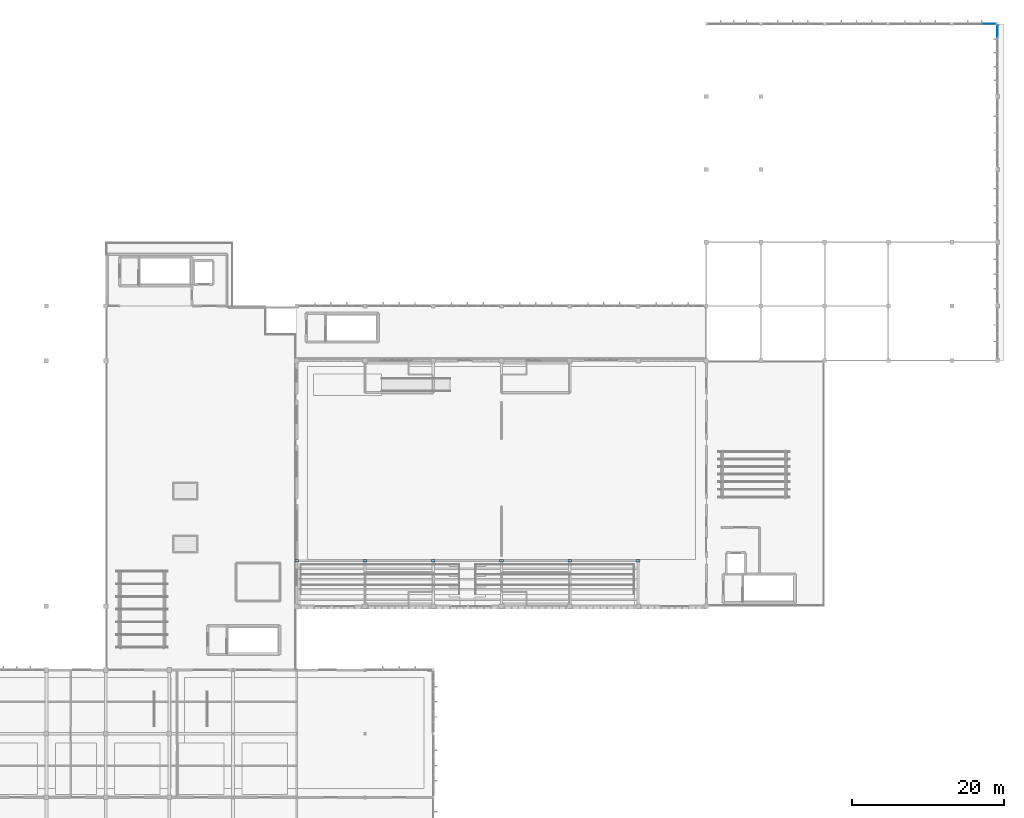
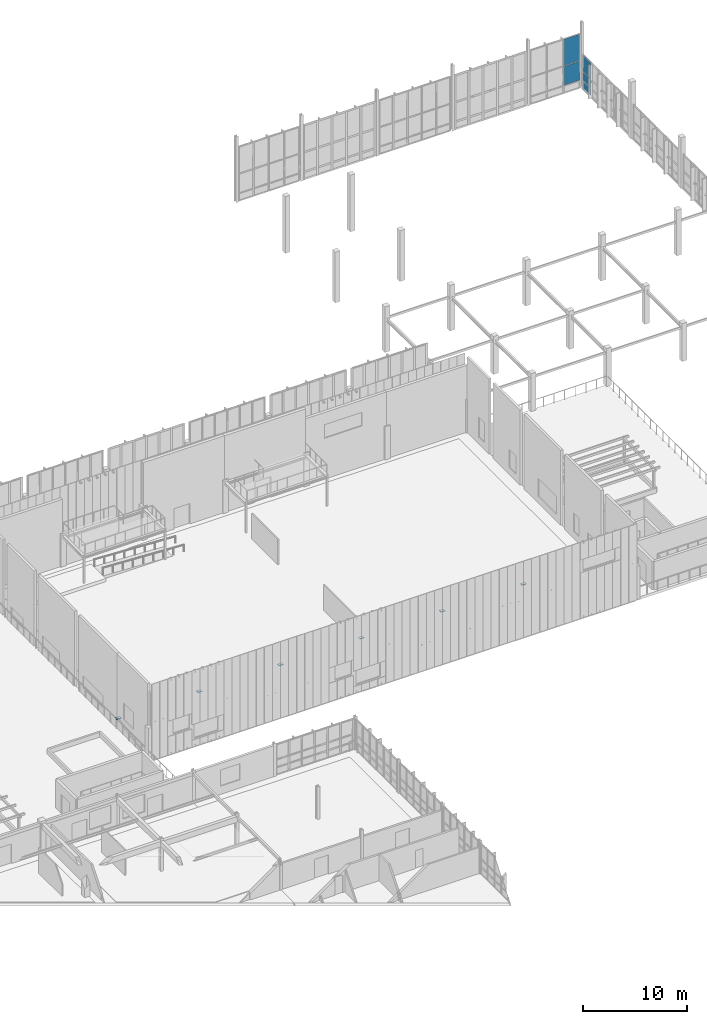
# One storey, part 41 of 67: 11 plates, 2 elements without a shape of their own.
"""IFC4 building model written with IfcOpenShell, lengths in metres."""

from ifc_helpers import new_model, si_unit, direction, frame, origin, origin_2d, place, context, subcontext, project, spatial, rectangle, extrude, material, layer, layer_set, type_object, element, aggregate, save


model = new_model("IFC4")

# Units and contexts
model_context = context("Model", 3, precision=1e-05, world=origin(), true_north=direction((0.0, 1.0)))
body_context = subcontext(model_context, "Body", "Model", "MODEL_VIEW")
ifc_project = project(units=[si_unit("LENGTHUNIT", "METRE"), si_unit("AREAUNIT", "SQUARE_METRE"), si_unit("VOLUMEUNIT", "CUBIC_METRE"), si_unit("PLANEANGLEUNIT", "RADIAN"), si_unit("MASSUNIT", "GRAM", prefix="KILO")], contexts=[model_context])

# Site, building, storey
site_placement = place(None, origin())
site = spatial("IfcSite", under=ifc_project, at=site_placement, CompositionType="ELEMENT")
building_placement = place(site_placement, origin())
building = spatial("IfcBuilding", under=site, at=building_placement, Name="Tizgana Railside Sports Hall", CompositionType="ELEMENT")
storey_placement = place(building_placement, frame((0.0, 0.0, 12.0)))
storey = spatial("IfcBuildingStorey", under=building, at=storey_placement, Name="L02", CompositionType="ELEMENT", Elevation=12.0)

# Curtain wall, plates
ifc_material_1 = material(Name="Anodised aluminium and glass", Category="aluminium")
curtain_wall_type_1 = type_object("IfcCurtainWallType", Name="Unitised Curtain Wall WestHall 1560", PredefinedType="NOTDEFINED", material=ifc_material_1)
curtain_wall_1_placement = place(storey_placement, origin())
curtain_wall_1 = element("IfcCurtainWall", 1, at=curtain_wall_1_placement, inside=storey, type_object=curtain_wall_type_1, Name="L02 Curtain Wall CW-0070", PredefinedType="NOTDEFINED")
ifc_material_2 = material(Name="Double low-E laminated glass", Category="glass")
ifc_layer_1 = layer(ifc_material_2, 0.0400390625, Name="Double low-E laminated glass")
ifc_layer_set_1 = layer_set([ifc_layer_1], Name="Double low-E laminated glass")
plate_type_1 = type_object("IfcPlateType", Name="High-Span Tempered Glazing Panel 40", PredefinedType="CURTAIN_PANEL", material=ifc_layer_set_1)
plate_1_placement = place(storey_placement, frame((172.199951171875, 116.613037109375, 0.070068359375), z_axis=(0.0, 0.0, 1.0), x_axis=(0.0, 1.0, 0.0)))
plate_1 = element("IfcPlate", 2, at=plate_1_placement, type_object=plate_type_1, Name="CW-07 panel 6.1", PredefinedType="CURTAIN_PANEL", context=body_context, shape_type="SweptSolid", body=[
    extrude(rectangle(XDim=1.404052734375, YDim=0.0400390625, at=origin_2d()), origin(), (0.0, 0.0, 1.0), 0.794921875),
])
plate_2_placement = place(storey_placement, frame((172.199951171875, 116.613037109375, 0.93505859375), z_axis=(0.0, 0.0, 1.0), x_axis=(0.0, 1.0, 0.0)))
plate_2 = element("IfcPlate", 3, at=plate_2_placement, type_object=plate_type_1, Name="CW-07 panel 6.2", PredefinedType="CURTAIN_PANEL", context=body_context, shape_type="SweptSolid", body=[
    extrude(rectangle(XDim=1.404052734375, YDim=0.0400390625, at=origin_2d()), origin(), (0.0, 0.0, 1.0), 1.030029296875),
])
plate_3_placement = place(storey_placement, frame((172.199951171875, 116.613037109375, 2.034912109375), z_axis=(0.0, 0.0, 1.0), x_axis=(0.0, 1.0, 0.0)))
plate_3 = element("IfcPlate", 4, at=plate_3_placement, type_object=plate_type_1, Name="CW-07 panel 6.3", PredefinedType="CURTAIN_PANEL", context=body_context, shape_type="SweptSolid", body=[
    extrude(rectangle(XDim=1.404052734375, YDim=0.0400390625, at=origin_2d()), origin(), (0.0, 0.0, 1.0), 1.89501953125),
])
aggregate(curtain_wall_1, [plate_1, plate_2, plate_3])

curtain_wall_type_2 = type_object("IfcCurtainWallType", Name="Unitised Curtain Wall EastHall 1500", PredefinedType="NOTDEFINED", material=ifc_material_1)
curtain_wall_2_placement = place(storey_placement, origin())
curtain_wall_2 = element("IfcCurtainWall", 5, at=curtain_wall_2_placement, inside=storey, type_object=curtain_wall_type_2, Name="L02 Curtain Wall CW-0055", PredefinedType="NOTDEFINED")
ifc_layer_2 = layer(ifc_material_2, 0.031982421875, Name="Double low-E laminated glass")
ifc_layer_set_2 = layer_set([ifc_layer_2], Name="Double low-E laminated glass")
plate_type_2 = type_object("IfcPlateType", Name="North-Light Clerestory Glazing Panel 32", PredefinedType="CURTAIN_PANEL", material=ifc_layer_set_2)
plate_4_placement = place(storey_placement, frame((171.04833984375, 117.60009765625, 0.93017578125), z_axis=(0.0, 0.0, 1.0), x_axis=(1.0, 0.0, 0.0)))
plate_4 = element("IfcPlate", 6, at=plate_4_placement, type_object=plate_type_2, Name="CW-08 panel 3.2", PredefinedType="CURTAIN_PANEL", context=body_context, shape_type="SweptSolid", body=[
    extrude(rectangle(XDim=1.7734375, YDim=0.031982421875, at=origin_2d()), origin(), (0.0, 0.0, 1.0), 2.239990234375),
])
plate_5_placement = place(storey_placement, frame((171.04833984375, 117.60009765625, 3.22998046875), z_axis=(0.0, 0.0, 1.0), x_axis=(1.0, 0.0, 0.0)))
plate_5 = element("IfcPlate", 7, at=plate_5_placement, type_object=plate_type_2, Name="CW-08 panel 3.3", PredefinedType="CURTAIN_PANEL", context=body_context, shape_type="SweptSolid", body=[
    extrude(rectangle(XDim=1.7734375, YDim=0.031982421875, at=origin_2d()), origin(), (0.0, 0.0, 1.0), 3.110107421875),
])
aggregate(curtain_wall_2, [plate_4, plate_5])

# Plates
ifc_material_3 = material(Name="Steel S355J2", Category="steel")
ifc_layer_3 = layer(ifc_material_3, 0.02490234375, Name="Steel S355J2")
ifc_layer_set_3 = layer_set([ifc_layer_3], Name="Steel S355J2")
plate_type_3 = type_object("IfcPlateType", Name="Pavilion Post Base Plate 500x340x25", PredefinedType="USERDEFINED", material=ifc_layer_set_3)
for number, where, z_axis, x_axis, name in (
    (8, (79.800048828125, 46.800048828125, 1.185546875), (0.0, 0.0, 1.0), (1.0, 0.0, 0.0), "L02 Stand Strut Cap Plate"),
    (9, (88.800048828125, 46.800048828125, 1.185546875), (0.0, 0.0, 1.0), (1.0, 0.0, 0.0), "L02 Stand Strut Cap Plate"),
    (10, (97.800048828125, 46.800048828125, 1.185546875), (0.0, 0.0, 1.0), (1.0, 0.0, 0.0), "L02 Stand Strut Cap Plate"),
    (11, (106.800048828125, 46.800048828125, 1.185546875), (0.0, 0.0, 1.0), (1.0, 0.0, 0.0), "L02 Stand Strut Cap Plate"),
    (12, (115.800048828125, 46.800048828125, 1.185546875), (0.0, 0.0, 1.0), (1.0, 0.0, 0.0), "L02 Stand Strut Cap Plate"),
    (13, (124.800048828125, 46.800048828125, 1.185546875), (0.0, 0.0, 1.0), (1.0, 0.0, 0.0), "L02 Stand Strut Cap Plate"),
):
    element("IfcPlate", number, at=place(storey_placement, frame(where, z_axis=z_axis, x_axis=x_axis)), inside=storey, type_object=plate_type_3, Name=name, ObjectType="BASE_PLATE", PredefinedType="USERDEFINED", context=body_context, shape_type="SweptSolid", body=[
        extrude(rectangle(XDim=0.5, YDim=0.340087890625, at=origin_2d()), origin(), (0.0, 0.0, 1.0), 0.02490234375),
    ])

save(model, "model.ifc")
